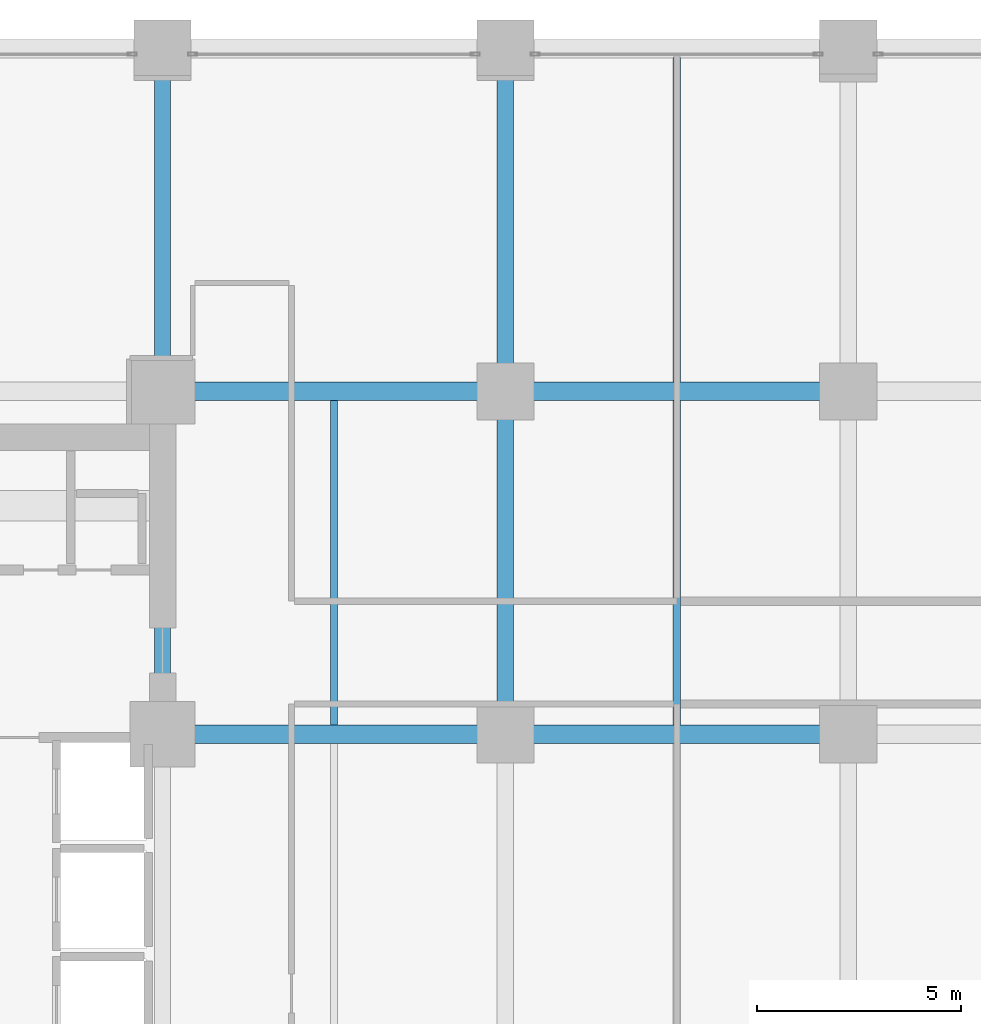
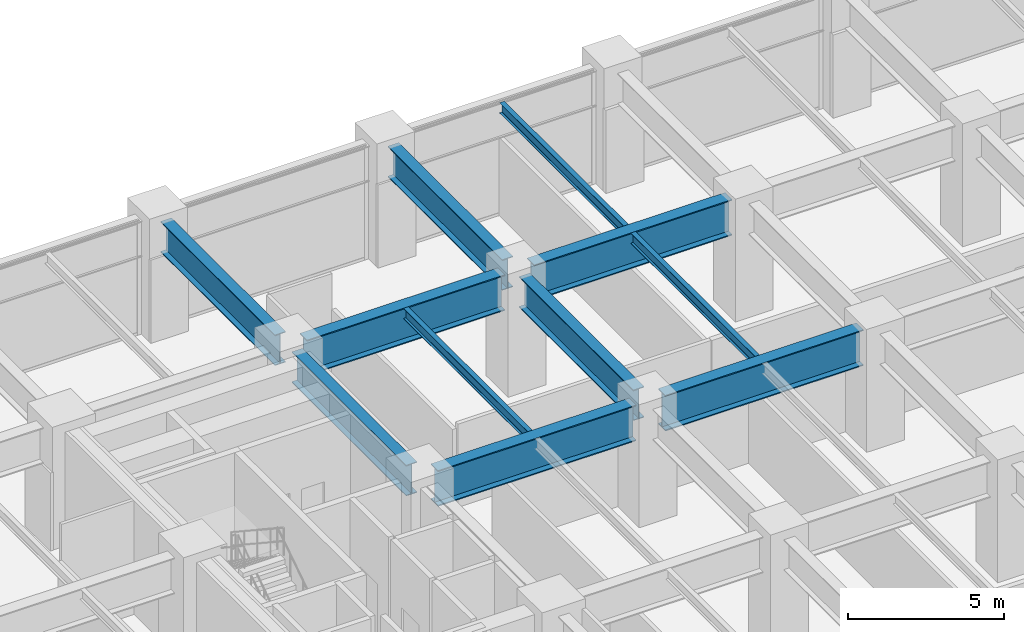
# One storey, part 11 of 24: 11 beams.
"""IFC4 building model written with IfcOpenShell, lengths in metres."""

from ifc_helpers import new_model, si_unit, direction, frame, origin, origin_2d, place, context, subcontext, project, spatial, i_section, extrude, material, material_profile, profile_set, type_object, element, save


model = new_model("IFC4")

# Units and contexts
model_context = context("Model", 3, precision=1e-05, world=origin(), true_north=direction((0.0, 1.0)))
body_context = subcontext(model_context, "Body", "Model", "MODEL_VIEW")
ifc_project = project(units=[si_unit("LENGTHUNIT", "METRE"), si_unit("AREAUNIT", "SQUARE_METRE"), si_unit("VOLUMEUNIT", "CUBIC_METRE"), si_unit("PLANEANGLEUNIT", "RADIAN"), si_unit("MASSUNIT", "GRAM", prefix="KILO")], contexts=[model_context])

# Site, building, storey
site_placement = place(None, origin())
site = spatial("IfcSite", under=ifc_project, at=site_placement, CompositionType="ELEMENT")
building_placement = place(site_placement, origin())
building = spatial("IfcBuilding", under=site, at=building_placement, Name="Nerrivon Quay Data Exchange", CompositionType="ELEMENT")
storey_placement = place(building_placement, frame((0.0, 0.0, 15.0)))
storey = spatial("IfcBuildingStorey", under=building, at=storey_placement, Name="L03", CompositionType="ELEMENT", Elevation=15.0)

# Beams
ifc_material = material(Name="Steel Grade 350", Category="steel")
ifc_material_profile_1 = material_profile(ifc_material, i_section(OverallWidth=0.177978515625, OverallDepth=0.406005859375, WebThickness=0.0078125, FlangeThickness=0.0126953125, FilletRadius=0.011474609375, at=origin_2d()), Name="410UB59.7")
ifc_profile_set_1 = profile_set([ifc_material_profile_1], Name="Steel Grade 350")
beam_type_1 = type_object("IfcBeamType", Name="BM-J1-410UB60", PredefinedType="JOIST", material=ifc_profile_set_1)
for number, where, z_axis, x_axis, name in (
    (1, (21.0, 33.824951171875, 4.2470703125), (0.0, 1.0, 0.0), (-1.0, 0.0, 0.0), "L03 Secondary Joist X=21.0 (33.6..42.0)"),
    (2, (29.39990234375, 33.824951171875, 4.2470703125), (0.0, 1.0, 0.0), (-1.0, 0.0, 0.0), "L03 Secondary Joist X=29.4 (33.6..42.0)"),
    (3, (29.39990234375, 42.22509765625, 4.2470703125), (0.0, 1.0, 0.0), (-1.0, 0.0, 0.0), "L03 Secondary Joist X=29.4 (42.0..50.4)"),
):
    element("IfcBeam", number, at=place(storey_placement, frame(where, z_axis=z_axis, x_axis=x_axis)), inside=storey, type_object=beam_type_1, Name=name, PredefinedType="JOIST", context=body_context, shape_type="SweptSolid", body=[
        extrude(i_section(OverallWidth=0.177978515625, OverallDepth=0.406005859375, WebThickness=0.0078125, FlangeThickness=0.0126953125, FilletRadius=0.011474609375, at=origin_2d()), origin(), (0.0, 0.0, 1.0), 7.949951171875),
    ])
ifc_material_profile_2 = material_profile(ifc_material, i_section(OverallWidth=0.449951171875, OverallDepth=1.39990234375, WebThickness=0.02001953125, FlangeThickness=0.0400390625, at=origin_2d()), Name="1400WG455")
ifc_profile_set_2 = profile_set([ifc_material_profile_2], Name="Steel Grade 350")
beam_type_2 = type_object("IfcBeamType", Name="BM-TG1-1400WG", PredefinedType="USERDEFINED", material=ifc_profile_set_2)
beam_1_placement = place(storey_placement, frame((17.340087890625, 33.60009765625, 3.75), z_axis=(1.0, 0.0, 0.0), x_axis=(0.0, 1.0, 0.0)))
element("IfcBeam", 4, at=beam_1_placement, inside=storey, type_object=beam_type_2, Name="L03 EW Girder Y=33.6 (16.8..25.2)", ObjectType="TRANSFER", PredefinedType="USERDEFINED", context=body_context, shape_type="SweptSolid", body=[
    extrude(i_section(OverallWidth=0.449951171875, OverallDepth=1.39990234375, WebThickness=0.02001953125, FlangeThickness=0.0400390625, at=origin_2d()), origin(), (0.0, 0.0, 1.0), 7.31982421875),
])
beam_2_placement = place(storey_placement, frame((25.739990234375, 33.60009765625, 3.75), z_axis=(1.0, 0.0, 0.0), x_axis=(0.0, 1.0, 0.0)))
element("IfcBeam", 5, at=beam_2_placement, inside=storey, type_object=beam_type_2, Name="L03 EW Girder Y=33.6 (25.2..33.6)", ObjectType="TRANSFER", PredefinedType="USERDEFINED", context=body_context, shape_type="SweptSolid", body=[
    extrude(i_section(OverallWidth=0.449951171875, OverallDepth=1.39990234375, WebThickness=0.02001953125, FlangeThickness=0.0400390625, at=origin_2d()), origin(), (0.0, 0.0, 1.0), 7.320068359375),
])
beam_3_placement = place(storey_placement, frame((17.340087890625, 42.0, 3.75), z_axis=(1.0, 0.0, 0.0), x_axis=(0.0, 1.0, 0.0)))
element("IfcBeam", 6, at=beam_3_placement, inside=storey, type_object=beam_type_2, Name="L03 EW Girder Y=42.0 (16.8..25.2)", ObjectType="TRANSFER", PredefinedType="USERDEFINED", context=body_context, shape_type="SweptSolid", body=[
    extrude(i_section(OverallWidth=0.449951171875, OverallDepth=1.39990234375, WebThickness=0.02001953125, FlangeThickness=0.0400390625, at=origin_2d()), origin(), (0.0, 0.0, 1.0), 7.31982421875),
])
beam_4_placement = place(storey_placement, frame((25.739990234375, 42.0, 3.75), z_axis=(1.0, 0.0, 0.0), x_axis=(0.0, 1.0, 0.0)))
element("IfcBeam", 7, at=beam_4_placement, inside=storey, type_object=beam_type_2, Name="L03 EW Girder Y=42.0 (25.2..33.6)", ObjectType="TRANSFER", PredefinedType="USERDEFINED", context=body_context, shape_type="SweptSolid", body=[
    extrude(i_section(OverallWidth=0.449951171875, OverallDepth=1.39990234375, WebThickness=0.02001953125, FlangeThickness=0.0400390625, at=origin_2d()), origin(), (0.0, 0.0, 1.0), 7.320068359375),
])
ifc_material_profile_3 = material_profile(ifc_material, i_section(OverallWidth=0.39990234375, OverallDepth=1.199951171875, WebThickness=0.01611328125, FlangeThickness=0.031982421875, at=origin_2d()), Name="1200WB342")
ifc_profile_set_3 = profile_set([ifc_material_profile_3], Name="Steel Grade 350")
beam_type_3 = type_object("IfcBeamType", Name="BM-TG2-1200WB", PredefinedType="USERDEFINED", material=ifc_profile_set_3)
for number, where, z_axis, x_axis, name in (
    (8, (16.800048828125, 34.139892578125, 3.85009765625), (0.0, 1.0, 0.0), (-1.0, 0.0, 0.0), "L03 NS Girder X=16.8 (33.6..42.0)"),
    (9, (16.800048828125, 42.5400390625, 3.85009765625), (0.0, 1.0, 0.0), (-1.0, 0.0, 0.0), "L03 NS Girder X=16.8 (42.0..50.4)"),
    (10, (25.199951171875, 34.139892578125, 3.85009765625), (0.0, 1.0, 0.0), (-1.0, 0.0, 0.0), "L03 NS Girder X=25.2 (33.6..42.0)"),
    (11, (25.199951171875, 42.5400390625, 3.85009765625), (0.0, 1.0, 0.0), (-1.0, 0.0, 0.0), "L03 NS Girder X=25.2 (42.0..50.4)"),
):
    element("IfcBeam", number, at=place(storey_placement, frame(where, z_axis=z_axis, x_axis=x_axis)), inside=storey, type_object=beam_type_3, Name=name, ObjectType="TRANSFER", PredefinedType="USERDEFINED", context=body_context, shape_type="SweptSolid", body=[
        extrude(i_section(OverallWidth=0.39990234375, OverallDepth=1.199951171875, WebThickness=0.01611328125, FlangeThickness=0.031982421875, at=origin_2d()), origin(), (0.0, 0.0, 1.0), 7.320068359375),
    ])

save(model, "model.ifc")
